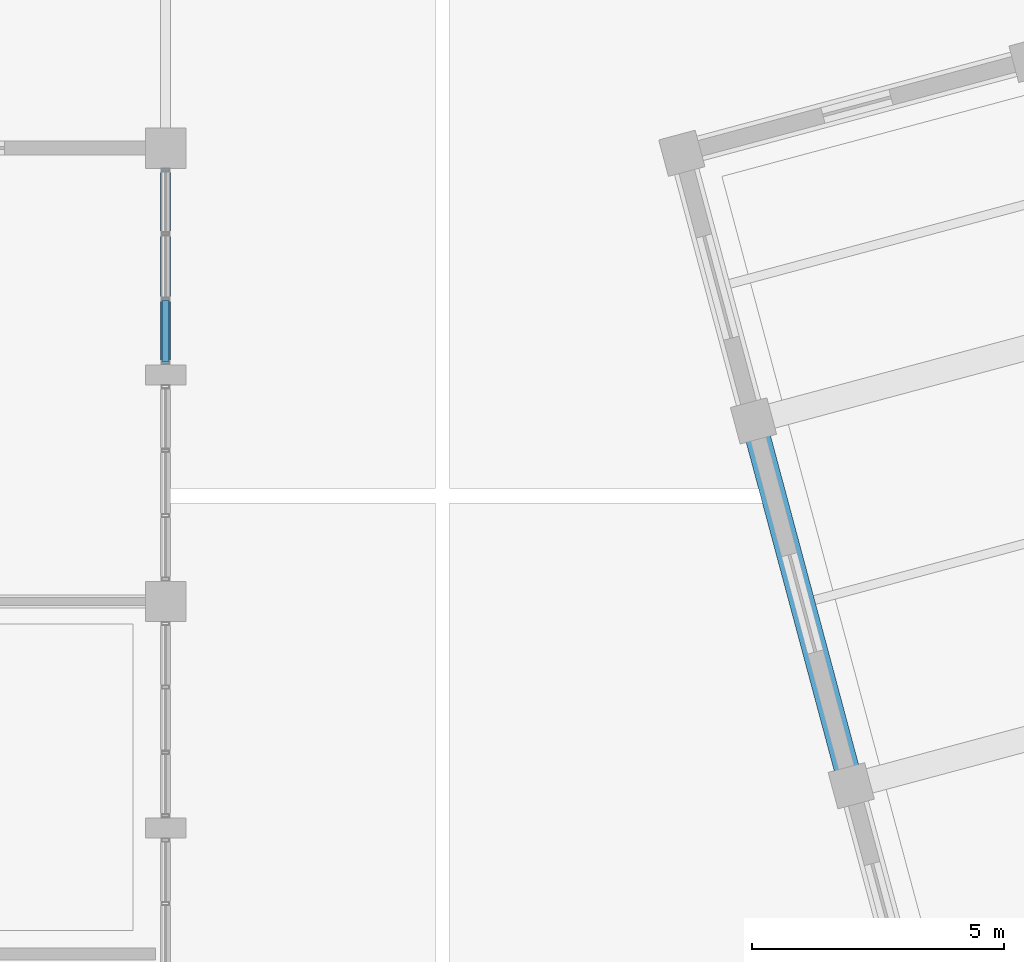
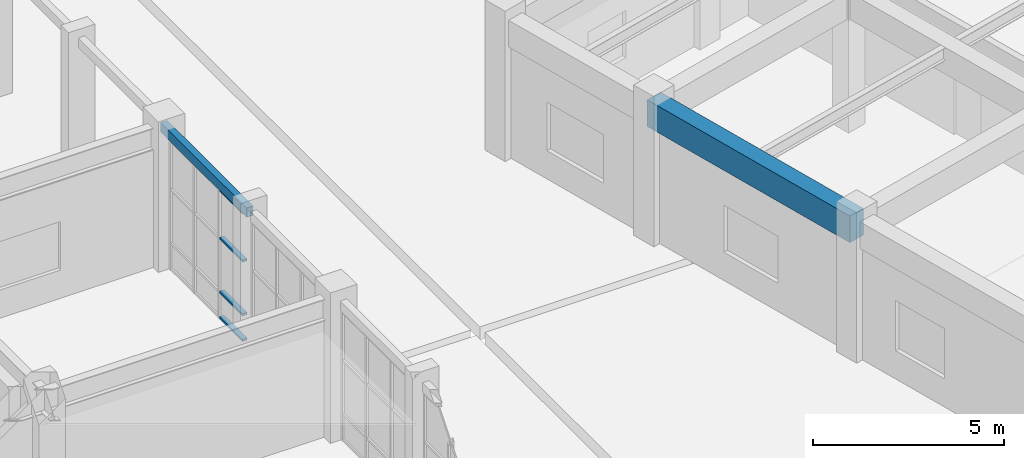
# One storey, part 20 of 47: 4 members, 2 beams, 1 element without a shape of its own.
"""IFC4 building model written with IfcOpenShell, lengths in metres."""

from ifc_helpers import new_model, si_unit, direction, frame, origin, origin_2d, place, context, subcontext, project, spatial, rectangle, hollow_rectangle, extrude, material, layer, layer_set, material_profile, profile_set, type_object, element, aggregate, save


model = new_model("IFC4")

# Units and contexts
model_context = context("Model", 3, precision=1e-05, world=origin(), true_north=direction((0.0, 1.0)))
body_context = subcontext(model_context, "Body", "Model", "MODEL_VIEW")
ifc_project = project(units=[si_unit("LENGTHUNIT", "METRE"), si_unit("AREAUNIT", "SQUARE_METRE"), si_unit("VOLUMEUNIT", "CUBIC_METRE"), si_unit("PLANEANGLEUNIT", "RADIAN"), si_unit("MASSUNIT", "GRAM", prefix="KILO")], contexts=[model_context])

# Site, building, storey
site_placement = place(None, origin())
site = spatial("IfcSite", under=ifc_project, at=site_placement, CompositionType="ELEMENT")
building_placement = place(site_placement, origin())
building = spatial("IfcBuilding", under=site, at=building_placement, Name="Ventoquebrada Cableway Terminal", CompositionType="ELEMENT")
storey_placement = place(building_placement, origin())
storey = spatial("IfcBuildingStorey", under=building, at=storey_placement, Name="L00", CompositionType="ELEMENT", Elevation=0.0)

# Beam
ifc_material_1 = material(Name="Concrete C40/50", Category="concrete")
ifc_material_profile_1 = material_profile(ifc_material_1, rectangle(XDim=0.5, YDim=0.85009765625, at=origin_2d()), Name="RC-BM-500X850")
ifc_profile_set_1 = profile_set([ifc_material_profile_1], Name="Concrete C40/50")
beam_type_1 = type_object("IfcBeamType", Name="BM-RC04", PredefinedType="BEAM", material=ifc_profile_set_1)
beam_1_placement = place(storey_placement, frame((48.613037109375, 82.341064453125, 4.02490234375), z_axis=(-0.258776761059, 0.965937155273, 0.0), x_axis=(-0.965937155273, -0.258776761059, 0.0)))
element("IfcBeam", 1, at=beam_1_placement, inside=storey, type_object=beam_type_1, Name="Splayed station girder FBM-0956", PredefinedType="BEAM", context=body_context, shape_type="SweptSolid", body=[
    extrude(rectangle(XDim=0.5, YDim=0.85009765625, at=origin_2d()), origin(), (0.0, 0.0, 1.0), 7.500244140625),
])

# Curtain wall, members
ifc_material_2 = material(Name="Anodized thermally-broken aluminium", Category="aluminium")
ifc_layer = layer(ifc_material_2, 0.159912109375)
ifc_layer_set = layer_set([ifc_layer], Name="Anodized thermally-broken aluminium")
curtain_wall_type = type_object("IfcCurtainWallType", Name="CW-T13", PredefinedType="USERDEFINED", material=ifc_layer_set)
curtain_wall_placement = place(storey_placement, origin())
curtain_wall = element("IfcCurtainWall", 2, at=curtain_wall_placement, inside=storey, type_object=curtain_wall_type, Name="Unitised glazed curtain wall CW-029", ObjectType="UNITISED CURTAIN WALL", PredefinedType="USERDEFINED")
ifc_material_profile_2 = material_profile(ifc_material_2, hollow_rectangle(XDim=0.06494140625, YDim=0.139892578125, WallThickness=0.00390625, at=origin_2d()), Name="CW-TRN-65X140")
ifc_profile_set_2 = profile_set([ifc_material_profile_2], Name="Anodized thermally-broken aluminium")
member_type = type_object("IfcMemberType", Name="CWT-01", PredefinedType="USERDEFINED", material=ifc_profile_set_2)
member_1_placement = place(storey_placement, frame((35.0, 90.76708984375, 0.034912109375), z_axis=(0.0, 1.0, 0.0), x_axis=(0.0, 0.0, 1.0)))
member_1 = element("IfcMember", 3, at=member_1_placement, type_object=member_type, Name="Curtain wall transom FTR-0379", ObjectType="TRANSOM", PredefinedType="USERDEFINED", context=body_context, shape_type="SweptSolid", body=[
    extrude(hollow_rectangle(XDim=0.06494140625, YDim=0.139892578125, WallThickness=0.00390625, at=origin_2d()), origin(), (0.0, 0.0, 1.0), 1.20703125),
])
member_2_placement = place(storey_placement, frame((35.0, 90.76708984375, 0.85009765625), z_axis=(0.0, 1.0, 0.0), x_axis=(0.0, 0.0, 1.0)))
member_2 = element("IfcMember", 4, at=member_2_placement, type_object=member_type, Name="Curtain wall transom FTR-0380", ObjectType="TRANSOM", PredefinedType="USERDEFINED", context=body_context, shape_type="SweptSolid", body=[
    extrude(hollow_rectangle(XDim=0.06494140625, YDim=0.139892578125, WallThickness=0.00390625, at=origin_2d()), origin(), (0.0, 0.0, 1.0), 1.20703125),
])
member_3_placement = place(storey_placement, frame((35.0, 90.76708984375, 2.56396484375), z_axis=(0.0, 1.0, 0.0), x_axis=(0.0, 0.0, 1.0)))
member_3 = element("IfcMember", 5, at=member_3_placement, type_object=member_type, Name="Curtain wall transom FTR-0381", ObjectType="TRANSOM", PredefinedType="USERDEFINED", context=body_context, shape_type="SweptSolid", body=[
    extrude(hollow_rectangle(XDim=0.06494140625, YDim=0.139892578125, WallThickness=0.00390625, at=origin_2d()), origin(), (0.0, 0.0, 1.0), 1.20703125),
])
member_4_placement = place(storey_placement, frame((35.0, 90.76708984375, 4.10009765625), z_axis=(0.0, 1.0, 0.0), x_axis=(0.0, 0.0, 1.0)))
member_4 = element("IfcMember", 6, at=member_4_placement, type_object=member_type, Name="Curtain wall transom FTR-0382", ObjectType="TRANSOM", PredefinedType="USERDEFINED", context=body_context, shape_type="SweptSolid", body=[
    extrude(hollow_rectangle(XDim=0.06494140625, YDim=0.139892578125, WallThickness=0.00390625, at=origin_2d()), origin(), (0.0, 0.0, 1.0), 1.20703125),
])
aggregate(curtain_wall, [member_1, member_2, member_3, member_4])

# Beam
ifc_material_3 = material(Name="Steel ASTM A500 Grade C", Category="steel")
ifc_material_profile_3 = material_profile(ifc_material_3, hollow_rectangle(XDim=0.199951171875, YDim=0.300048828125, WallThickness=0.012451171875, at=origin_2d()), Name="RHS300X200X12.5")
ifc_profile_set_3 = profile_set([ifc_material_profile_3], Name="Steel ASTM A500 Grade C")
beam_type_2 = type_object("IfcBeamType", Name="SP-ST02", PredefinedType="SPANDREL", material=ifc_profile_set_3)
beam_2_placement = place(storey_placement, frame((35.0, 90.5, 4.2900390625), z_axis=(0.0, 1.0, 0.0), x_axis=(-1.0, 0.0, 0.0)))
element("IfcBeam", 7, at=beam_2_placement, inside=storey, type_object=beam_type_2, Name="Perimeter spandrel beam FBM-0372", PredefinedType="SPANDREL", context=body_context, shape_type="SweptSolid", body=[
    extrude(hollow_rectangle(XDim=0.199951171875, YDim=0.300048828125, WallThickness=0.012451171875, at=origin_2d()), origin(), (0.0, 0.0, 1.0), 4.5),
])

save(model, "model.ifc")
